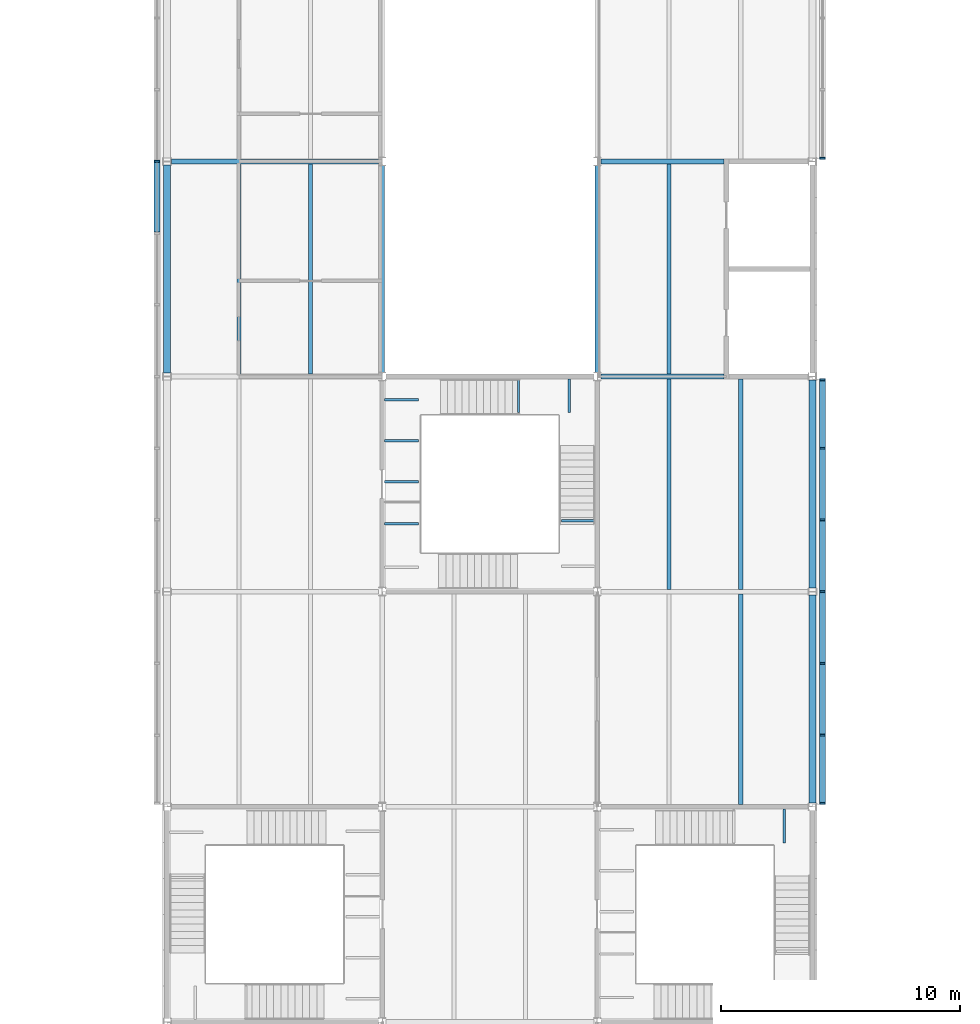
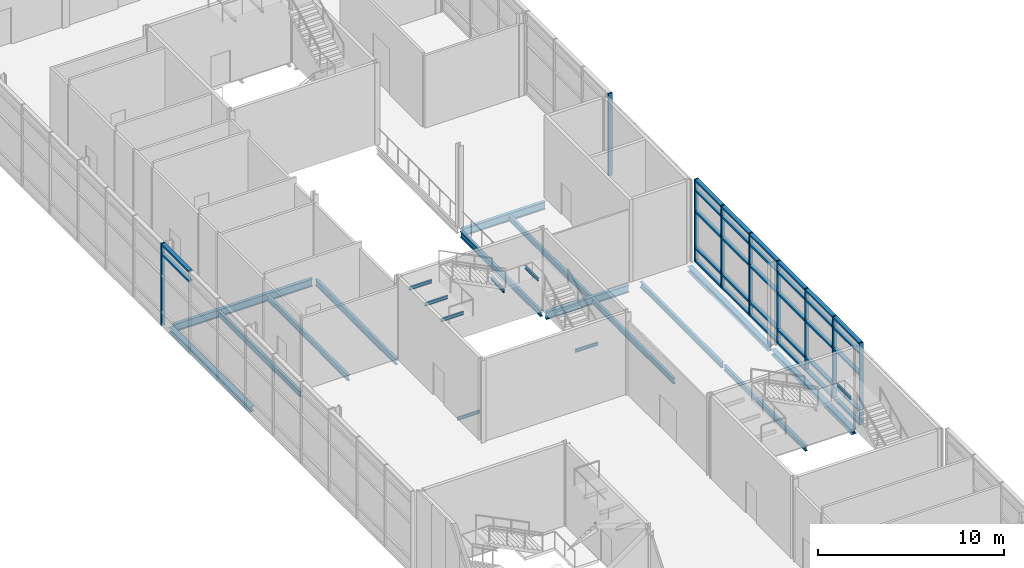
# One storey, part 12 of 52: 41 members, 22 beams, 3 elements without a shape of their own.
"""IFC4 building model written with IfcOpenShell, lengths in metres."""

from ifc_helpers import new_model, si_unit, direction, frame, origin, origin_2d, place, context, subcontext, project, spatial, rectangle, i_section, extrude, material, material_profile, profile_set, type_object, element, aggregate, save


model = new_model("IFC4")

# Units and contexts
model_context = context("Model", 3, precision=1e-05, world=origin(), true_north=direction((0.0, 1.0)))
body_context = subcontext(model_context, "Body", "Model", "MODEL_VIEW")
ifc_project = project(units=[si_unit("LENGTHUNIT", "METRE"), si_unit("AREAUNIT", "SQUARE_METRE"), si_unit("VOLUMEUNIT", "CUBIC_METRE"), si_unit("PLANEANGLEUNIT", "RADIAN"), si_unit("MASSUNIT", "GRAM", prefix="KILO")], contexts=[model_context])

# Site, building, storey
site_placement = place(None, origin())
site = spatial("IfcSite", under=ifc_project, at=site_placement, CompositionType="ELEMENT")
building_placement = place(site_placement, origin())
building = spatial("IfcBuilding", under=site, at=building_placement, Name="Azimuth Sports and Learning Centre", CompositionType="ELEMENT")
storey_placement = place(building_placement, frame((0.0, 0.0, 16.199951171875)))
storey = spatial("IfcBuildingStorey", under=building, at=storey_placement, Name="L03", CompositionType="ELEMENT", Elevation=16.199951171875)

# Beams
ifc_material_1 = material(Name="Steel S355", Category="steel")
ifc_material_profile_1 = material_profile(ifc_material_1, i_section(OverallWidth=0.10009765625, OverallDepth=0.199951171875, WebThickness=0.005615234375, FlangeThickness=0.008544921875, FilletRadius=0.011962890625, at=origin_2d()), Name="IPE 200")
ifc_profile_set_1 = profile_set([ifc_material_profile_1], Name="Steel S355")
beam_type_1 = type_object("IfcBeamType", Name="Beam IPE 200", PredefinedType="BEAM", material=ifc_profile_set_1)
for number, where, z_axis, x_axis, name in (
    (1, (97.827392578125, 35.89990234375, 3.300048828125), (0.0, -1.0, 0.0), (1.0, 0.0, 0.0), "Landing bracket ST4 L03 1123"),
    (2, (81.10009765625, 47.840087890625, -0.300048828125), (1.0, 0.0, 0.0), (0.0, 1.0, 0.0), "Landing bracket STC L03 1153"),
    (3, (89.89990234375, 47.9599609375, 1.5), (-1.0, 0.0, 0.0), (0.0, -1.0, 0.0), "Landing bracket STC L03 1155"),
    (4, (86.702392578125, 53.89990234375, 3.300048828125), (0.0, -1.0, 0.0), (1.0, 0.0, 0.0), "Landing bracket STC L03 1156"),
    (5, (88.827392578125, 53.89990234375, 3.300048828125), (0.0, -1.0, 0.0), (1.0, 0.0, 0.0), "Landing bracket STC L03 1157"),
    (6, (81.10009765625, 49.606689453125, 5.10009765625), (1.0, 0.0, 0.0), (0.0, 1.0, 0.0), "Landing bracket STC L03 1158"),
    (7, (81.10009765625, 51.320068359375, 5.10009765625), (1.0, 0.0, 0.0), (0.0, 1.0, 0.0), "Landing bracket STC L03 1159"),
    (8, (81.10009765625, 53.033447265625, 5.10009765625), (1.0, 0.0, 0.0), (0.0, 1.0, 0.0), "Landing bracket STC L03 1160"),
):
    element("IfcBeam", number, at=place(storey_placement, frame(where, z_axis=z_axis, x_axis=x_axis)), inside=storey, type_object=beam_type_1, Name=name, PredefinedType="BEAM", context=body_context, shape_type="SweptSolid", body=[
        extrude(i_section(OverallWidth=0.10009765625, OverallDepth=0.199951171875, WebThickness=0.005615234375, FlangeThickness=0.008544921875, FilletRadius=0.011962890625, at=origin_2d()), origin(), (0.0, 0.0, 1.0), 1.409912109375),
    ])
ifc_material_2 = material(Name="Steel S355", Category="steel")
ifc_material_profile_2 = material_profile(ifc_material_2, i_section(OverallWidth=0.179931640625, OverallDepth=0.39990234375, WebThickness=0.008544921875, FlangeThickness=0.013427734375, FilletRadius=0.02099609375, at=origin_2d()), Name="IPE 400")
ifc_profile_set_2 = profile_set([ifc_material_profile_2], Name="Steel S355")
beam_type_2 = type_object("IfcBeamType", Name="Beam IPE 400", PredefinedType="BEAM", material=ifc_profile_set_2)
for number, where, z_axis, x_axis, name in (
    (9, (81.0, 54.179931640625, -0.349853515625), (0.0, 1.0, 0.0), (-1.0, 0.0, 0.0), "Beam L03 ST 32"),
    (10, (90.0, 54.179931640625, -0.349853515625), (0.0, 1.0, 0.0), (-1.0, 0.0, 0.0), "Beam L03 ST 38"),
):
    element("IfcBeam", number, at=place(storey_placement, frame(where, z_axis=z_axis, x_axis=x_axis)), inside=storey, type_object=beam_type_2, Name=name, PredefinedType="BEAM", context=body_context, shape_type="SweptSolid", body=[
        extrude(i_section(OverallWidth=0.179931640625, OverallDepth=0.39990234375, WebThickness=0.008544921875, FlangeThickness=0.013427734375, FilletRadius=0.02099609375, at=origin_2d()), origin(), (0.0, 0.0, 1.0), 8.64013671875),
    ])
ifc_material_3 = material(Name="Steel S355", Category="steel")
ifc_material_profile_3 = material_profile(ifc_material_3, i_section(OverallWidth=0.199951171875, OverallDepth=0.5, WebThickness=0.01025390625, FlangeThickness=0.01611328125, FilletRadius=0.02099609375, at=origin_2d()), Name="IPE 500")
ifc_profile_set_3 = profile_set([ifc_material_profile_3], Name="Steel S355")
beam_type_3 = type_object("IfcBeamType", Name="Beam IPE 500", PredefinedType="BEAM", material=ifc_profile_set_3)
beam_1_placement = place(storey_placement, frame((90.14990234375, 54.0, -0.39990234375), z_axis=(1.0, 0.0, 0.0), x_axis=(0.0, 1.0, 0.0)))
element("IfcBeam", 11, at=beam_1_placement, inside=storey, type_object=beam_type_3, Name="Beam L03 ST 11", PredefinedType="BEAM", context=body_context, shape_type="SweptSolid", body=[
    extrude(i_section(OverallWidth=0.199951171875, OverallDepth=0.5, WebThickness=0.01025390625, FlangeThickness=0.01611328125, FilletRadius=0.02099609375, at=origin_2d()), origin(), (0.0, 0.0, 1.0), 5.150146484375),
])
beam_2_placement = place(storey_placement, frame((72.179931640625, 63.0, -0.39990234375), z_axis=(1.0, 0.0, 0.0), x_axis=(0.0, 1.0, 0.0)))
element("IfcBeam", 12, at=beam_2_placement, inside=storey, type_object=beam_type_3, Name="Beam L03 ST 12", PredefinedType="BEAM", context=body_context, shape_type="SweptSolid", body=[
    extrude(i_section(OverallWidth=0.199951171875, OverallDepth=0.5, WebThickness=0.01025390625, FlangeThickness=0.01611328125, FilletRadius=0.02099609375, at=origin_2d()), origin(), (0.0, 0.0, 1.0), 8.670166015625),
])
beam_3_placement = place(storey_placement, frame((90.14990234375, 63.0, -0.39990234375), z_axis=(1.0, 0.0, 0.0), x_axis=(0.0, 1.0, 0.0)))
element("IfcBeam", 13, at=beam_3_placement, inside=storey, type_object=beam_type_3, Name="Beam L03 ST 13", PredefinedType="BEAM", context=body_context, shape_type="SweptSolid", body=[
    extrude(i_section(OverallWidth=0.199951171875, OverallDepth=0.5, WebThickness=0.01025390625, FlangeThickness=0.01611328125, FilletRadius=0.02099609375, at=origin_2d()), origin(), (0.0, 0.0, 1.0), 5.150146484375),
])
ifc_material_4 = material(Name="Steel S355", Category="steel")
ifc_material_profile_4 = material_profile(ifc_material_4, i_section(OverallWidth=0.300048828125, OverallDepth=0.330078125, WebThickness=0.009521484375, FlangeThickness=0.0166015625, FilletRadius=0.027099609375, at=origin_2d()), Name="HEA 340")
ifc_profile_set_4 = profile_set([ifc_material_profile_4], Name="Steel S355")
beam_type_4 = type_object("IfcBeamType", Name="Edge beam HEA 340", PredefinedType="SPANDREL", material=ifc_profile_set_4)
for number, where, z_axis, x_axis, name in (
    (14, (72.0, 54.14990234375, -0.31494140625), (0.0, 1.0, 0.0), (-1.0, 0.0, 0.0), "Edge beam L03 ST 25"),
    (15, (99.0, 36.14990234375, -0.31494140625), (0.0, 1.0, 0.0), (-1.0, 0.0, 0.0), "Edge beam L03 ST 43"),
    (16, (99.0, 45.14990234375, -0.31494140625), (0.0, 1.0, 0.0), (-1.0, 0.0, 0.0), "Edge beam L03 ST 44"),
):
    element("IfcBeam", number, at=place(storey_placement, frame(where, z_axis=z_axis, x_axis=x_axis)), inside=storey, type_object=beam_type_4, Name=name, PredefinedType="SPANDREL", context=body_context, shape_type="SweptSolid", body=[
        extrude(i_section(OverallWidth=0.300048828125, OverallDepth=0.330078125, WebThickness=0.009521484375, FlangeThickness=0.0166015625, FilletRadius=0.027099609375, at=origin_2d()), origin(), (0.0, 0.0, 1.0), 8.7001953125),
    ])
ifc_material_5 = material(Name="Steel S355", Category="steel")
ifc_material_profile_5 = material_profile(ifc_material_5, i_section(OverallWidth=0.169921875, OverallDepth=0.360107421875, WebThickness=0.008056640625, FlangeThickness=0.0126953125, FilletRadius=0.01806640625, at=origin_2d()), Name="IPE 360")
ifc_profile_set_5 = profile_set([ifc_material_profile_5], Name="Steel S355")
beam_type_5 = type_object("IfcBeamType", Name="Joist IPE 360", PredefinedType="JOIST", material=ifc_profile_set_5)
for number, where, z_axis, x_axis, name in (
    (17, (75.0, 54.10009765625, -0.329833984375), (0.0, 1.0, 0.0), (-1.0, 0.0, 0.0), "Joist L03 ST 52"),
    (18, (78.0, 54.10009765625, -0.329833984375), (0.0, 1.0, 0.0), (-1.0, 0.0, 0.0), "Joist L03 ST 60"),
    (19, (93.0, 45.10009765625, -0.329833984375), (0.0, 1.0, 0.0), (-1.0, 0.0, 0.0), "Joist L03 ST 79"),
    (20, (93.0, 54.10009765625, -0.329833984375), (0.0, 1.0, 0.0), (-1.0, 0.0, 0.0), "Joist L03 ST 80"),
    (21, (96.0, 36.10009765625, -0.329833984375), (0.0, 1.0, 0.0), (-1.0, 0.0, 0.0), "Joist L03 ST 86"),
    (22, (96.0, 45.10009765625, -0.329833984375), (0.0, 1.0, 0.0), (-1.0, 0.0, 0.0), "Joist L03 ST 87"),
):
    element("IfcBeam", number, at=place(storey_placement, frame(where, z_axis=z_axis, x_axis=x_axis)), inside=storey, type_object=beam_type_5, Name=name, PredefinedType="JOIST", context=body_context, shape_type="SweptSolid", body=[
        extrude(i_section(OverallWidth=0.169921875, OverallDepth=0.360107421875, WebThickness=0.008056640625, FlangeThickness=0.0126953125, FilletRadius=0.01806640625, at=origin_2d()), origin(), (0.0, 0.0, 1.0), 8.7998046875),
    ])

# Curtain wall, member
ifc_material_6 = material(Name="Aluminium and glass", Category="aluminium")
curtain_wall_type = type_object("IfcCurtainWallType", Name="Curtain wall podium stem 240", PredefinedType="NOTDEFINED", material=ifc_material_6)
curtain_wall_1_placement = place(storey_placement, origin())
curtain_wall_1 = element("IfcCurtainWall", 23, at=curtain_wall_1_placement, inside=storey, type_object=curtain_wall_type, Name="Curtain wall CW03-003", PredefinedType="NOTDEFINED")
ifc_material_7 = material(Name="Aluminium", Category="aluminium")
ifc_material_profile_6 = material_profile(ifc_material_7, rectangle(XDim=0.239990234375, YDim=0.080078125, at=origin_2d()), Name="Mullion 80x240")
ifc_profile_set_6 = profile_set([ifc_material_profile_6], Name="Aluminium")
member_type_1 = type_object("IfcMemberType", Name="Mullion 80x240", PredefinedType="MULLION", material=ifc_profile_set_6)
member_1_placement = place(storey_placement, frame((71.580078125, 63.0, 0.0), z_axis=(0.0, 0.0, 1.0), x_axis=(1.0, 0.0, 0.0)))
member_1 = element("IfcMember", 24, at=member_1_placement, type_object=member_type_1, Name="CW03-003 mullion 10", PredefinedType="MULLION", context=body_context, shape_type="SweptSolid", body=[
    extrude(rectangle(XDim=0.239990234375, YDim=0.080078125, at=origin_2d()), origin(), (0.0, 0.0, 1.0), 5.400146484375),
])

# Curtain wall, members
curtain_wall_2_placement = place(storey_placement, origin())
curtain_wall_2 = element("IfcCurtainWall", 25, at=curtain_wall_2_placement, inside=storey, type_object=curtain_wall_type, Name="Curtain wall CW03-007", PredefinedType="NOTDEFINED")
member_2_placement = place(storey_placement, frame((99.419921875, 36.139892578125, 0.0), z_axis=(0.0, 0.0, 1.0), x_axis=(-1.0, 0.0, 0.0)))
member_2 = element("IfcMember", 26, at=member_2_placement, type_object=member_type_1, Name="CW03-007 mullion 1", PredefinedType="MULLION", context=body_context, shape_type="SweptSolid", body=[
    extrude(rectangle(XDim=0.239990234375, YDim=0.080078125, at=origin_2d()), origin(), (0.0, 0.0, 1.0), 5.400146484375),
])
member_3_placement = place(storey_placement, frame((99.419921875, 39.0, 0.0), z_axis=(0.0, 0.0, 1.0), x_axis=(-1.0, 0.0, 0.0)))
member_3 = element("IfcMember", 27, at=member_3_placement, type_object=member_type_1, Name="CW03-007 mullion 2", PredefinedType="MULLION", context=body_context, shape_type="SweptSolid", body=[
    extrude(rectangle(XDim=0.239990234375, YDim=0.080078125, at=origin_2d()), origin(), (0.0, 0.0, 1.0), 5.400146484375),
])
member_4_placement = place(storey_placement, frame((99.419921875, 42.0, 0.0), z_axis=(0.0, 0.0, 1.0), x_axis=(-1.0, 0.0, 0.0)))
member_4 = element("IfcMember", 28, at=member_4_placement, type_object=member_type_1, Name="CW03-007 mullion 3", PredefinedType="MULLION", context=body_context, shape_type="SweptSolid", body=[
    extrude(rectangle(XDim=0.239990234375, YDim=0.080078125, at=origin_2d()), origin(), (0.0, 0.0, 1.0), 5.400146484375),
])
member_5_placement = place(storey_placement, frame((99.419921875, 45.0, 0.0), z_axis=(0.0, 0.0, 1.0), x_axis=(-1.0, 0.0, 0.0)))
member_5 = element("IfcMember", 29, at=member_5_placement, type_object=member_type_1, Name="CW03-007 mullion 4", PredefinedType="MULLION", context=body_context, shape_type="SweptSolid", body=[
    extrude(rectangle(XDim=0.239990234375, YDim=0.080078125, at=origin_2d()), origin(), (0.0, 0.0, 1.0), 5.400146484375),
])
member_6_placement = place(storey_placement, frame((99.419921875, 48.0, 0.0), z_axis=(0.0, 0.0, 1.0), x_axis=(-1.0, 0.0, 0.0)))
member_6 = element("IfcMember", 30, at=member_6_placement, type_object=member_type_1, Name="CW03-007 mullion 5", PredefinedType="MULLION", context=body_context, shape_type="SweptSolid", body=[
    extrude(rectangle(XDim=0.239990234375, YDim=0.080078125, at=origin_2d()), origin(), (0.0, 0.0, 1.0), 5.400146484375),
])
member_7_placement = place(storey_placement, frame((99.419921875, 51.0, 0.0), z_axis=(0.0, 0.0, 1.0), x_axis=(-1.0, 0.0, 0.0)))
member_7 = element("IfcMember", 31, at=member_7_placement, type_object=member_type_1, Name="CW03-007 mullion 6", PredefinedType="MULLION", context=body_context, shape_type="SweptSolid", body=[
    extrude(rectangle(XDim=0.239990234375, YDim=0.080078125, at=origin_2d()), origin(), (0.0, 0.0, 1.0), 5.400146484375),
])
member_8_placement = place(storey_placement, frame((99.419921875, 53.860107421875, 0.0), z_axis=(0.0, 0.0, 1.0), x_axis=(-1.0, 0.0, 0.0)))
member_8 = element("IfcMember", 32, at=member_8_placement, type_object=member_type_1, Name="CW03-007 mullion 7", PredefinedType="MULLION", context=body_context, shape_type="SweptSolid", body=[
    extrude(rectangle(XDim=0.239990234375, YDim=0.080078125, at=origin_2d()), origin(), (0.0, 0.0, 1.0), 5.400146484375),
])

# Curtain wall, member
curtain_wall_3_placement = place(storey_placement, origin())
curtain_wall_3 = element("IfcCurtainWall", 33, at=curtain_wall_3_placement, inside=storey, type_object=curtain_wall_type, Name="Curtain wall CW03-008", PredefinedType="NOTDEFINED")
member_9_placement = place(storey_placement, frame((99.419921875, 63.139892578125, 0.0), z_axis=(0.0, 0.0, 1.0), x_axis=(-1.0, 0.0, 0.0)))
member_9 = element("IfcMember", 34, at=member_9_placement, type_object=member_type_1, Name="CW03-008 mullion 1", PredefinedType="MULLION", context=body_context, shape_type="SweptSolid", body=[
    extrude(rectangle(XDim=0.239990234375, YDim=0.080078125, at=origin_2d()), origin(), (0.0, 0.0, 1.0), 5.400146484375),
])
aggregate(curtain_wall_3, [member_9])

# Member
ifc_material_8 = material(Name="Aluminium", Category="aluminium")
ifc_material_profile_7 = material_profile(ifc_material_8, rectangle(XDim=0.239990234375, YDim=0.1201171875, at=origin_2d()), Name="Transom 120x240")
ifc_profile_set_7 = profile_set([ifc_material_profile_7], Name="Aluminium")
member_type_2 = type_object("IfcMemberType", Name="Transom 120x240", PredefinedType="USERDEFINED", material=ifc_profile_set_7)
member_10_placement = place(storey_placement, frame((71.580078125, 62.9599609375, 4.699951171875), z_axis=(0.0, -1.0, 0.0), x_axis=(1.0, 0.0, 0.0)))
member_10 = element("IfcMember", 35, at=member_10_placement, type_object=member_type_2, Name="CW03-003 transom 10.4", ObjectType="TRANSOM", PredefinedType="USERDEFINED", context=body_context, shape_type="SweptSolid", body=[
    extrude(rectangle(XDim=0.239990234375, YDim=0.1201171875, at=origin_2d()), origin(), (0.0, 0.0, 1.0), 2.919921875),
])

member_11_placement = place(storey_placement, frame((71.580078125, 62.9599609375, 5.340087890625), z_axis=(0.0, -1.0, 0.0), x_axis=(1.0, 0.0, 0.0)))
member_11 = element("IfcMember", 36, at=member_11_placement, type_object=member_type_2, Name="CW03-003 transom 10.5", ObjectType="TRANSOM", PredefinedType="USERDEFINED", context=body_context, shape_type="SweptSolid", body=[
    extrude(rectangle(XDim=0.239990234375, YDim=0.1201171875, at=origin_2d()), origin(), (0.0, 0.0, 1.0), 2.919921875),
])

aggregate(curtain_wall_1, [member_1, member_10, member_11])

member_12_placement = place(storey_placement, frame((99.419921875, 36.179931640625, 0.06005859375), z_axis=(0.0, 1.0, 0.0), x_axis=(-1.0, 0.0, 0.0)))
member_12 = element("IfcMember", 37, at=member_12_placement, type_object=member_type_2, Name="CW03-007 transom 1.1", ObjectType="TRANSOM", PredefinedType="USERDEFINED", context=body_context, shape_type="SweptSolid", body=[
    extrude(rectangle(XDim=0.239990234375, YDim=0.1201171875, at=origin_2d()), origin(), (0.0, 0.0, 1.0), 2.780029296875),
])

member_13_placement = place(storey_placement, frame((99.419921875, 36.179931640625, 0.900146484375), z_axis=(0.0, 1.0, 0.0), x_axis=(-1.0, 0.0, 0.0)))
member_13 = element("IfcMember", 38, at=member_13_placement, type_object=member_type_2, Name="CW03-007 transom 1.2", ObjectType="TRANSOM", PredefinedType="USERDEFINED", context=body_context, shape_type="SweptSolid", body=[
    extrude(rectangle(XDim=0.239990234375, YDim=0.1201171875, at=origin_2d()), origin(), (0.0, 0.0, 1.0), 2.780029296875),
])

member_14_placement = place(storey_placement, frame((99.419921875, 36.179931640625, 3.300048828125), z_axis=(0.0, 1.0, 0.0), x_axis=(-1.0, 0.0, 0.0)))
member_14 = element("IfcMember", 39, at=member_14_placement, type_object=member_type_2, Name="CW03-007 transom 1.3", ObjectType="TRANSOM", PredefinedType="USERDEFINED", context=body_context, shape_type="SweptSolid", body=[
    extrude(rectangle(XDim=0.239990234375, YDim=0.1201171875, at=origin_2d()), origin(), (0.0, 0.0, 1.0), 2.780029296875),
])

member_15_placement = place(storey_placement, frame((99.419921875, 36.179931640625, 4.699951171875), z_axis=(0.0, 1.0, 0.0), x_axis=(-1.0, 0.0, 0.0)))
member_15 = element("IfcMember", 40, at=member_15_placement, type_object=member_type_2, Name="CW03-007 transom 1.4", ObjectType="TRANSOM", PredefinedType="USERDEFINED", context=body_context, shape_type="SweptSolid", body=[
    extrude(rectangle(XDim=0.239990234375, YDim=0.1201171875, at=origin_2d()), origin(), (0.0, 0.0, 1.0), 2.780029296875),
])

member_16_placement = place(storey_placement, frame((99.419921875, 36.179931640625, 5.340087890625), z_axis=(0.0, 1.0, 0.0), x_axis=(-1.0, 0.0, 0.0)))
member_16 = element("IfcMember", 41, at=member_16_placement, type_object=member_type_2, Name="CW03-007 transom 1.5", ObjectType="TRANSOM", PredefinedType="USERDEFINED", context=body_context, shape_type="SweptSolid", body=[
    extrude(rectangle(XDim=0.239990234375, YDim=0.1201171875, at=origin_2d()), origin(), (0.0, 0.0, 1.0), 2.780029296875),
])

member_17_placement = place(storey_placement, frame((99.419921875, 39.0400390625, 0.06005859375), z_axis=(0.0, 1.0, 0.0), x_axis=(-1.0, 0.0, 0.0)))
member_17 = element("IfcMember", 42, at=member_17_placement, type_object=member_type_2, Name="CW03-007 transom 2.1", ObjectType="TRANSOM", PredefinedType="USERDEFINED", context=body_context, shape_type="SweptSolid", body=[
    extrude(rectangle(XDim=0.239990234375, YDim=0.1201171875, at=origin_2d()), origin(), (0.0, 0.0, 1.0), 2.919921875),
])

member_18_placement = place(storey_placement, frame((99.419921875, 39.0400390625, 0.900146484375), z_axis=(0.0, 1.0, 0.0), x_axis=(-1.0, 0.0, 0.0)))
member_18 = element("IfcMember", 43, at=member_18_placement, type_object=member_type_2, Name="CW03-007 transom 2.2", ObjectType="TRANSOM", PredefinedType="USERDEFINED", context=body_context, shape_type="SweptSolid", body=[
    extrude(rectangle(XDim=0.239990234375, YDim=0.1201171875, at=origin_2d()), origin(), (0.0, 0.0, 1.0), 2.919921875),
])

member_19_placement = place(storey_placement, frame((99.419921875, 39.0400390625, 3.300048828125), z_axis=(0.0, 1.0, 0.0), x_axis=(-1.0, 0.0, 0.0)))
member_19 = element("IfcMember", 44, at=member_19_placement, type_object=member_type_2, Name="CW03-007 transom 2.3", ObjectType="TRANSOM", PredefinedType="USERDEFINED", context=body_context, shape_type="SweptSolid", body=[
    extrude(rectangle(XDim=0.239990234375, YDim=0.1201171875, at=origin_2d()), origin(), (0.0, 0.0, 1.0), 2.919921875),
])

member_20_placement = place(storey_placement, frame((99.419921875, 39.0400390625, 4.699951171875), z_axis=(0.0, 1.0, 0.0), x_axis=(-1.0, 0.0, 0.0)))
member_20 = element("IfcMember", 45, at=member_20_placement, type_object=member_type_2, Name="CW03-007 transom 2.4", ObjectType="TRANSOM", PredefinedType="USERDEFINED", context=body_context, shape_type="SweptSolid", body=[
    extrude(rectangle(XDim=0.239990234375, YDim=0.1201171875, at=origin_2d()), origin(), (0.0, 0.0, 1.0), 2.919921875),
])

member_21_placement = place(storey_placement, frame((99.419921875, 39.0400390625, 5.340087890625), z_axis=(0.0, 1.0, 0.0), x_axis=(-1.0, 0.0, 0.0)))
member_21 = element("IfcMember", 46, at=member_21_placement, type_object=member_type_2, Name="CW03-007 transom 2.5", ObjectType="TRANSOM", PredefinedType="USERDEFINED", context=body_context, shape_type="SweptSolid", body=[
    extrude(rectangle(XDim=0.239990234375, YDim=0.1201171875, at=origin_2d()), origin(), (0.0, 0.0, 1.0), 2.919921875),
])

member_22_placement = place(storey_placement, frame((99.419921875, 42.0400390625, 0.06005859375), z_axis=(0.0, 1.0, 0.0), x_axis=(-1.0, 0.0, 0.0)))
member_22 = element("IfcMember", 47, at=member_22_placement, type_object=member_type_2, Name="CW03-007 transom 3.1", ObjectType="TRANSOM", PredefinedType="USERDEFINED", context=body_context, shape_type="SweptSolid", body=[
    extrude(rectangle(XDim=0.239990234375, YDim=0.1201171875, at=origin_2d()), origin(), (0.0, 0.0, 1.0), 2.919921875),
])

member_23_placement = place(storey_placement, frame((99.419921875, 42.0400390625, 0.900146484375), z_axis=(0.0, 1.0, 0.0), x_axis=(-1.0, 0.0, 0.0)))
member_23 = element("IfcMember", 48, at=member_23_placement, type_object=member_type_2, Name="CW03-007 transom 3.2", ObjectType="TRANSOM", PredefinedType="USERDEFINED", context=body_context, shape_type="SweptSolid", body=[
    extrude(rectangle(XDim=0.239990234375, YDim=0.1201171875, at=origin_2d()), origin(), (0.0, 0.0, 1.0), 2.919921875),
])

member_24_placement = place(storey_placement, frame((99.419921875, 42.0400390625, 3.300048828125), z_axis=(0.0, 1.0, 0.0), x_axis=(-1.0, 0.0, 0.0)))
member_24 = element("IfcMember", 49, at=member_24_placement, type_object=member_type_2, Name="CW03-007 transom 3.3", ObjectType="TRANSOM", PredefinedType="USERDEFINED", context=body_context, shape_type="SweptSolid", body=[
    extrude(rectangle(XDim=0.239990234375, YDim=0.1201171875, at=origin_2d()), origin(), (0.0, 0.0, 1.0), 2.919921875),
])

member_25_placement = place(storey_placement, frame((99.419921875, 42.0400390625, 4.699951171875), z_axis=(0.0, 1.0, 0.0), x_axis=(-1.0, 0.0, 0.0)))
member_25 = element("IfcMember", 50, at=member_25_placement, type_object=member_type_2, Name="CW03-007 transom 3.4", ObjectType="TRANSOM", PredefinedType="USERDEFINED", context=body_context, shape_type="SweptSolid", body=[
    extrude(rectangle(XDim=0.239990234375, YDim=0.1201171875, at=origin_2d()), origin(), (0.0, 0.0, 1.0), 2.919921875),
])

member_26_placement = place(storey_placement, frame((99.419921875, 42.0400390625, 5.340087890625), z_axis=(0.0, 1.0, 0.0), x_axis=(-1.0, 0.0, 0.0)))
member_26 = element("IfcMember", 51, at=member_26_placement, type_object=member_type_2, Name="CW03-007 transom 3.5", ObjectType="TRANSOM", PredefinedType="USERDEFINED", context=body_context, shape_type="SweptSolid", body=[
    extrude(rectangle(XDim=0.239990234375, YDim=0.1201171875, at=origin_2d()), origin(), (0.0, 0.0, 1.0), 2.919921875),
])

member_27_placement = place(storey_placement, frame((99.419921875, 45.0400390625, 0.06005859375), z_axis=(0.0, 1.0, 0.0), x_axis=(-1.0, 0.0, 0.0)))
member_27 = element("IfcMember", 52, at=member_27_placement, type_object=member_type_2, Name="CW03-007 transom 4.1", ObjectType="TRANSOM", PredefinedType="USERDEFINED", context=body_context, shape_type="SweptSolid", body=[
    extrude(rectangle(XDim=0.239990234375, YDim=0.1201171875, at=origin_2d()), origin(), (0.0, 0.0, 1.0), 2.919921875),
])

member_28_placement = place(storey_placement, frame((99.419921875, 45.0400390625, 0.900146484375), z_axis=(0.0, 1.0, 0.0), x_axis=(-1.0, 0.0, 0.0)))
member_28 = element("IfcMember", 53, at=member_28_placement, type_object=member_type_2, Name="CW03-007 transom 4.2", ObjectType="TRANSOM", PredefinedType="USERDEFINED", context=body_context, shape_type="SweptSolid", body=[
    extrude(rectangle(XDim=0.239990234375, YDim=0.1201171875, at=origin_2d()), origin(), (0.0, 0.0, 1.0), 2.919921875),
])

member_29_placement = place(storey_placement, frame((99.419921875, 45.0400390625, 3.300048828125), z_axis=(0.0, 1.0, 0.0), x_axis=(-1.0, 0.0, 0.0)))
member_29 = element("IfcMember", 54, at=member_29_placement, type_object=member_type_2, Name="CW03-007 transom 4.3", ObjectType="TRANSOM", PredefinedType="USERDEFINED", context=body_context, shape_type="SweptSolid", body=[
    extrude(rectangle(XDim=0.239990234375, YDim=0.1201171875, at=origin_2d()), origin(), (0.0, 0.0, 1.0), 2.919921875),
])

member_30_placement = place(storey_placement, frame((99.419921875, 45.0400390625, 4.699951171875), z_axis=(0.0, 1.0, 0.0), x_axis=(-1.0, 0.0, 0.0)))
member_30 = element("IfcMember", 55, at=member_30_placement, type_object=member_type_2, Name="CW03-007 transom 4.4", ObjectType="TRANSOM", PredefinedType="USERDEFINED", context=body_context, shape_type="SweptSolid", body=[
    extrude(rectangle(XDim=0.239990234375, YDim=0.1201171875, at=origin_2d()), origin(), (0.0, 0.0, 1.0), 2.919921875),
])

member_31_placement = place(storey_placement, frame((99.419921875, 45.0400390625, 5.340087890625), z_axis=(0.0, 1.0, 0.0), x_axis=(-1.0, 0.0, 0.0)))
member_31 = element("IfcMember", 56, at=member_31_placement, type_object=member_type_2, Name="CW03-007 transom 4.5", ObjectType="TRANSOM", PredefinedType="USERDEFINED", context=body_context, shape_type="SweptSolid", body=[
    extrude(rectangle(XDim=0.239990234375, YDim=0.1201171875, at=origin_2d()), origin(), (0.0, 0.0, 1.0), 2.919921875),
])

member_32_placement = place(storey_placement, frame((99.419921875, 48.0400390625, 0.06005859375), z_axis=(0.0, 1.0, 0.0), x_axis=(-1.0, 0.0, 0.0)))
member_32 = element("IfcMember", 57, at=member_32_placement, type_object=member_type_2, Name="CW03-007 transom 5.1", ObjectType="TRANSOM", PredefinedType="USERDEFINED", context=body_context, shape_type="SweptSolid", body=[
    extrude(rectangle(XDim=0.239990234375, YDim=0.1201171875, at=origin_2d()), origin(), (0.0, 0.0, 1.0), 2.919921875),
])

member_33_placement = place(storey_placement, frame((99.419921875, 48.0400390625, 0.900146484375), z_axis=(0.0, 1.0, 0.0), x_axis=(-1.0, 0.0, 0.0)))
member_33 = element("IfcMember", 58, at=member_33_placement, type_object=member_type_2, Name="CW03-007 transom 5.2", ObjectType="TRANSOM", PredefinedType="USERDEFINED", context=body_context, shape_type="SweptSolid", body=[
    extrude(rectangle(XDim=0.239990234375, YDim=0.1201171875, at=origin_2d()), origin(), (0.0, 0.0, 1.0), 2.919921875),
])

member_34_placement = place(storey_placement, frame((99.419921875, 48.0400390625, 3.300048828125), z_axis=(0.0, 1.0, 0.0), x_axis=(-1.0, 0.0, 0.0)))
member_34 = element("IfcMember", 59, at=member_34_placement, type_object=member_type_2, Name="CW03-007 transom 5.3", ObjectType="TRANSOM", PredefinedType="USERDEFINED", context=body_context, shape_type="SweptSolid", body=[
    extrude(rectangle(XDim=0.239990234375, YDim=0.1201171875, at=origin_2d()), origin(), (0.0, 0.0, 1.0), 2.919921875),
])

member_35_placement = place(storey_placement, frame((99.419921875, 48.0400390625, 4.699951171875), z_axis=(0.0, 1.0, 0.0), x_axis=(-1.0, 0.0, 0.0)))
member_35 = element("IfcMember", 60, at=member_35_placement, type_object=member_type_2, Name="CW03-007 transom 5.4", ObjectType="TRANSOM", PredefinedType="USERDEFINED", context=body_context, shape_type="SweptSolid", body=[
    extrude(rectangle(XDim=0.239990234375, YDim=0.1201171875, at=origin_2d()), origin(), (0.0, 0.0, 1.0), 2.919921875),
])

member_36_placement = place(storey_placement, frame((99.419921875, 48.0400390625, 5.340087890625), z_axis=(0.0, 1.0, 0.0), x_axis=(-1.0, 0.0, 0.0)))
member_36 = element("IfcMember", 61, at=member_36_placement, type_object=member_type_2, Name="CW03-007 transom 5.5", ObjectType="TRANSOM", PredefinedType="USERDEFINED", context=body_context, shape_type="SweptSolid", body=[
    extrude(rectangle(XDim=0.239990234375, YDim=0.1201171875, at=origin_2d()), origin(), (0.0, 0.0, 1.0), 2.919921875),
])

member_37_placement = place(storey_placement, frame((99.419921875, 51.0400390625, 0.06005859375), z_axis=(0.0, 1.0, 0.0), x_axis=(-1.0, 0.0, 0.0)))
member_37 = element("IfcMember", 62, at=member_37_placement, type_object=member_type_2, Name="CW03-007 transom 6.1", ObjectType="TRANSOM", PredefinedType="USERDEFINED", context=body_context, shape_type="SweptSolid", body=[
    extrude(rectangle(XDim=0.239990234375, YDim=0.1201171875, at=origin_2d()), origin(), (0.0, 0.0, 1.0), 2.780029296875),
])

member_38_placement = place(storey_placement, frame((99.419921875, 51.0400390625, 0.900146484375), z_axis=(0.0, 1.0, 0.0), x_axis=(-1.0, 0.0, 0.0)))
member_38 = element("IfcMember", 63, at=member_38_placement, type_object=member_type_2, Name="CW03-007 transom 6.2", ObjectType="TRANSOM", PredefinedType="USERDEFINED", context=body_context, shape_type="SweptSolid", body=[
    extrude(rectangle(XDim=0.239990234375, YDim=0.1201171875, at=origin_2d()), origin(), (0.0, 0.0, 1.0), 2.780029296875),
])

member_39_placement = place(storey_placement, frame((99.419921875, 51.0400390625, 3.300048828125), z_axis=(0.0, 1.0, 0.0), x_axis=(-1.0, 0.0, 0.0)))
member_39 = element("IfcMember", 64, at=member_39_placement, type_object=member_type_2, Name="CW03-007 transom 6.3", ObjectType="TRANSOM", PredefinedType="USERDEFINED", context=body_context, shape_type="SweptSolid", body=[
    extrude(rectangle(XDim=0.239990234375, YDim=0.1201171875, at=origin_2d()), origin(), (0.0, 0.0, 1.0), 2.780029296875),
])

member_40_placement = place(storey_placement, frame((99.419921875, 51.0400390625, 4.699951171875), z_axis=(0.0, 1.0, 0.0), x_axis=(-1.0, 0.0, 0.0)))
member_40 = element("IfcMember", 65, at=member_40_placement, type_object=member_type_2, Name="CW03-007 transom 6.4", ObjectType="TRANSOM", PredefinedType="USERDEFINED", context=body_context, shape_type="SweptSolid", body=[
    extrude(rectangle(XDim=0.239990234375, YDim=0.1201171875, at=origin_2d()), origin(), (0.0, 0.0, 1.0), 2.780029296875),
])

member_41_placement = place(storey_placement, frame((99.419921875, 51.0400390625, 5.340087890625), z_axis=(0.0, 1.0, 0.0), x_axis=(-1.0, 0.0, 0.0)))
member_41 = element("IfcMember", 66, at=member_41_placement, type_object=member_type_2, Name="CW03-007 transom 6.5", ObjectType="TRANSOM", PredefinedType="USERDEFINED", context=body_context, shape_type="SweptSolid", body=[
    extrude(rectangle(XDim=0.239990234375, YDim=0.1201171875, at=origin_2d()), origin(), (0.0, 0.0, 1.0), 2.780029296875),
])

aggregate(curtain_wall_2, [member_2, member_3, member_4, member_5, member_6, member_7, member_8, member_12, member_13, member_14, member_15, member_16, member_17, member_18, member_19, member_20, member_21, member_22, member_23, member_24, member_25, member_26, member_27, member_28, member_29, member_30, member_31, member_32, member_33, member_34, member_35, member_36, member_37, member_38, member_39, member_40, member_41])

save(model, "model.ifc")
